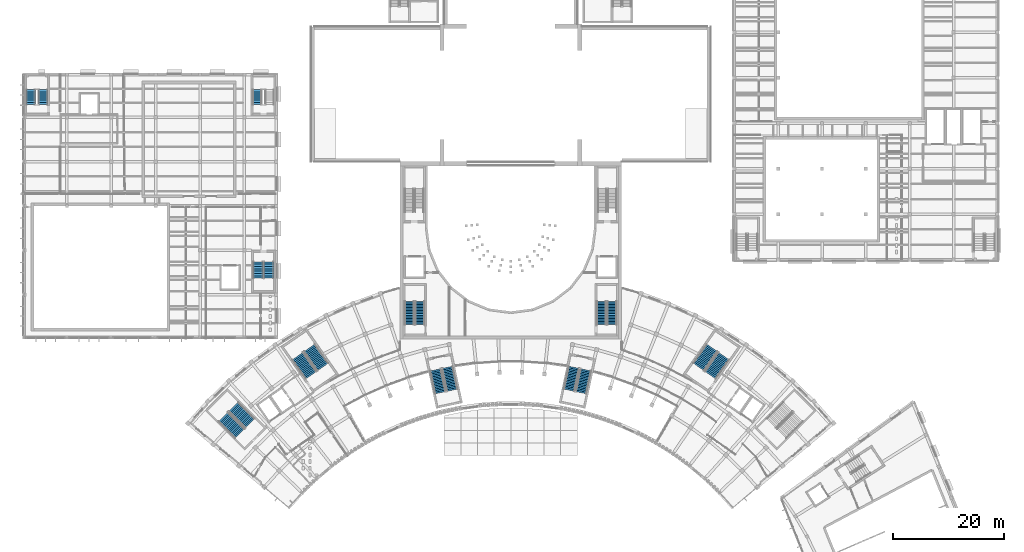
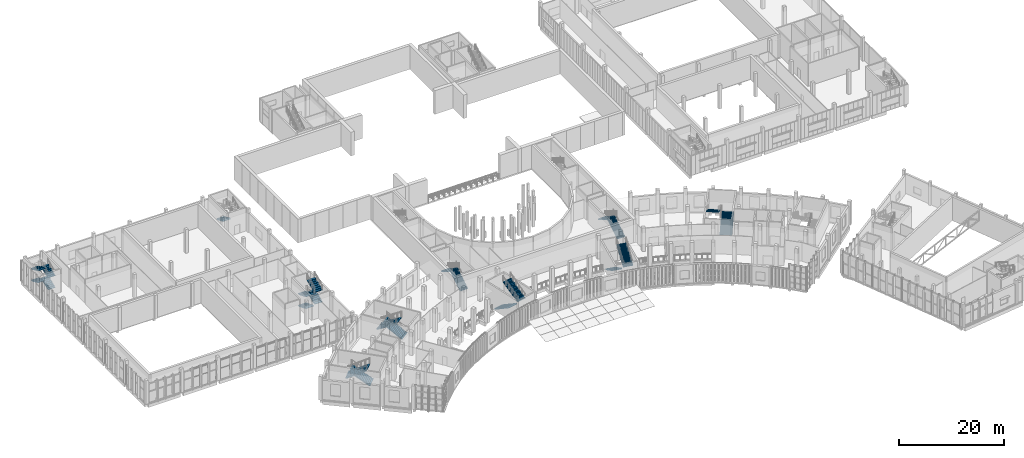
# One storey, part 66 of 112: 23 stair flights, 10 elements without a shape of their own.
"""IFC4 building model written with IfcOpenShell, lengths in metres."""

from ifc_helpers import new_model, si_unit, direction, frame, origin, place, context, subcontext, project, spatial, polyline, outline, extrude, material, type_object, element, aggregate, save


model = new_model("IFC4")

# Units and contexts
model_context = context("Model", 3, precision=1e-05, world=origin(), true_north=direction((0.0, 1.0)))
body_context = subcontext(model_context, "Body", "Model", "MODEL_VIEW")
ifc_project = project(units=[si_unit("LENGTHUNIT", "METRE"), si_unit("AREAUNIT", "SQUARE_METRE"), si_unit("VOLUMEUNIT", "CUBIC_METRE"), si_unit("PLANEANGLEUNIT", "RADIAN"), si_unit("MASSUNIT", "GRAM", prefix="KILO")], contexts=[model_context])

# Site, building, storey
site_placement = place(None, origin())
site = spatial("IfcSite", under=ifc_project, at=site_placement, CompositionType="ELEMENT")
building_placement = place(site_placement, origin())
building = spatial("IfcBuilding", under=site, at=building_placement, Name="Lunette Opera House", CompositionType="ELEMENT")
storey_placement = place(building_placement, frame((0.0, 0.0, 6.0)))
storey = spatial("IfcBuildingStorey", under=building, at=storey_placement, Name="L01", CompositionType="ELEMENT", Elevation=6.0)

# Stair, stair flights
ifc_material_1 = material(Name="Concrete C35/45", Category="concrete")
stair_type_1 = type_object("IfcStairType", Name="DOGLEG STAIR 1600", PredefinedType="HALF_TURN_STAIR", material=ifc_material_1)
stair_1_placement = place(storey_placement, origin())
stair_1 = element("IfcStair", 1, at=stair_1_placement, inside=storey, type_object=stair_type_1, Name="L01 stair ST15", PredefinedType="HALF_TURN_STAIR")
ifc_material_2 = material(Name="Concrete C35/45", Category="concrete")
stair_flight_type_1 = type_object("IfcStairFlightType", Name="STRAIGHT STAIR FLIGHT 1600", PredefinedType="STRAIGHT", material=ifc_material_2)
stair_flight_1_placement = place(storey_placement, frame((11.699951171875, 106.300048828125, 0.0), z_axis=(0.0, 0.0, 1.0), x_axis=(0.0, 1.0, 0.0)))
stair_flight_1 = element("IfcStairFlight", 2, at=stair_flight_1_placement, type_object=stair_flight_type_1, Name="ST15 flight 1", NumberOfRisers=8, NumberOfTreads=7, PredefinedType="STRAIGHT", RiserHeight=0.171875, TreadLength=0.38, context=body_context, shape_type="SweptSolid", body=[
    extrude(outline(polyline([(0.0, 0.0), (0.0, 0.171875), (0.3798828125, 0.171875), (0.3798828125, 0.34375), (0.760009765625, 0.34375), (0.760009765625, 0.515625), (1.139892578125, 0.515625), (1.139892578125, 0.6875), (1.52001953125, 0.6875), (1.52001953125, 0.859375), (1.89990234375, 0.859375), (1.89990234375, 1.03125), (2.280029296875, 1.03125), (2.280029296875, 1.203125), (2.659912109375, 1.203125), (2.659912109375, 1.375), (2.659912109375, 1.03857421875), (0.36376953125, 0.0), (0.0, 0.0)])), frame((0.0, 0.800048828125, 0.0), z_axis=(0.0, -1.0, 0.0), x_axis=(1.0, 0.0, 0.0)), (0.0, 0.0, 1.0), 1.60009765625),
])
stair_flight_2_placement = place(storey_placement, frame((9.5, 108.9599609375, 1.375), z_axis=(0.0, 0.0, 1.0), x_axis=(0.0, -1.0, 0.0)))
stair_flight_2 = element("IfcStairFlight", 3, at=stair_flight_2_placement, type_object=stair_flight_type_1, Name="ST15 flight 2", NumberOfRisers=8, NumberOfTreads=7, PredefinedType="STRAIGHT", RiserHeight=0.171875, TreadLength=0.38, context=body_context, shape_type="SweptSolid", body=[
    extrude(outline(polyline([(0.0, 0.0), (0.0, 0.171875), (0.3798828125, 0.171875), (0.3798828125, 0.34375), (0.760009765625, 0.34375), (0.760009765625, 0.515625), (1.139892578125, 0.515625), (1.139892578125, 0.6875), (1.52001953125, 0.6875), (1.52001953125, 0.859375), (1.89990234375, 0.859375), (1.89990234375, 1.03125), (2.280029296875, 1.03125), (2.280029296875, 1.203125), (2.659912109375, 1.203125), (2.659912109375, 1.375), (2.659912109375, 1.03857421875), (0.36376953125, 0.0), (0.0, 0.0)])), frame((0.0, 0.800048828125, 0.0), z_axis=(0.0, -1.0, 0.0), x_axis=(1.0, 0.0, 0.0)), (0.0, 0.0, 1.0), 1.60009765625),
])
stair_flight_3_placement = place(storey_placement, frame((11.699951171875, 106.300048828125, 2.75), z_axis=(0.0, 0.0, 1.0), x_axis=(0.0, 1.0, 0.0)))
stair_flight_3 = element("IfcStairFlight", 4, at=stair_flight_3_placement, type_object=stair_flight_type_1, Name="ST15 flight 3", NumberOfRisers=8, NumberOfTreads=7, PredefinedType="STRAIGHT", RiserHeight=0.171875, TreadLength=0.38, context=body_context, shape_type="SweptSolid", body=[
    extrude(outline(polyline([(0.0, 0.0), (0.0, 0.171875), (0.3798828125, 0.171875), (0.3798828125, 0.34375), (0.760009765625, 0.34375), (0.760009765625, 0.515625), (1.139892578125, 0.515625), (1.139892578125, 0.6875), (1.52001953125, 0.6875), (1.52001953125, 0.859375), (1.89990234375, 0.859375), (1.89990234375, 1.03125), (2.280029296875, 1.03125), (2.280029296875, 1.203125), (2.659912109375, 1.203125), (2.659912109375, 1.375), (2.659912109375, 1.03857421875), (0.36376953125, 0.0), (0.0, 0.0)])), frame((0.0, 0.800048828125, 0.0), z_axis=(0.0, -1.0, 0.0), x_axis=(1.0, 0.0, 0.0)), (0.0, 0.0, 1.0), 1.60009765625),
])
stair_flight_4_placement = place(storey_placement, frame((9.5, 108.9599609375, 4.125), z_axis=(0.0, 0.0, 1.0), x_axis=(0.0, -1.0, 0.0)))
stair_flight_4 = element("IfcStairFlight", 5, at=stair_flight_4_placement, type_object=stair_flight_type_1, Name="ST15 flight 4", NumberOfRisers=8, NumberOfTreads=7, PredefinedType="STRAIGHT", RiserHeight=0.171875, TreadLength=0.38, context=body_context, shape_type="SweptSolid", body=[
    extrude(outline(polyline([(0.0, 0.0), (0.0, 0.171875), (0.3798828125, 0.171875), (0.3798828125, 0.34375), (0.760009765625, 0.34375), (0.760009765625, 0.515625), (1.139892578125, 0.515625), (1.139892578125, 0.6875), (1.52001953125, 0.6875), (1.52001953125, 0.859375), (1.89990234375, 0.859375), (1.89990234375, 1.03125), (2.280029296875, 1.03125), (2.280029296875, 1.203125), (2.659912109375, 1.203125), (2.659912109375, 1.375), (2.659912109375, 1.03857421875), (0.36376953125, 0.0), (0.0, 0.0)])), frame((0.0, 0.800048828125, 0.0), z_axis=(0.0, -1.0, 0.0), x_axis=(1.0, 0.0, 0.0)), (0.0, 0.0, 1.0), 1.60009765625),
])
aggregate(stair_1, [stair_flight_1, stair_flight_2, stair_flight_3, stair_flight_4])

# Stair, stair flight
stair_2_placement = place(storey_placement, origin())
stair_2 = element("IfcStair", 6, at=stair_2_placement, inside=storey, type_object=stair_type_1, Name="L01 stair ST17", PredefinedType="HALF_TURN_STAIR")
stair_flight_5_placement = place(storey_placement, frame((50.300048828125, 108.9599609375, 1.375), z_axis=(0.0, 0.0, 1.0), x_axis=(0.0, -1.0, 0.0)))
stair_flight_5 = element("IfcStairFlight", 7, at=stair_flight_5_placement, type_object=stair_flight_type_1, Name="ST17 flight 2", NumberOfRisers=8, NumberOfTreads=7, PredefinedType="STRAIGHT", RiserHeight=0.171875, TreadLength=0.38, context=body_context, shape_type="SweptSolid", body=[
    extrude(outline(polyline([(0.0, 0.0), (0.0, 0.171875), (0.3798828125, 0.171875), (0.3798828125, 0.34375), (0.760009765625, 0.34375), (0.760009765625, 0.515625), (1.139892578125, 0.515625), (1.139892578125, 0.6875), (1.52001953125, 0.6875), (1.52001953125, 0.859375), (1.89990234375, 0.859375), (1.89990234375, 1.03125), (2.280029296875, 1.03125), (2.280029296875, 1.203125), (2.659912109375, 1.203125), (2.659912109375, 1.375), (2.659912109375, 1.03857421875), (0.36376953125, 0.0), (0.0, 0.0)])), frame((0.0, 0.800048828125, 0.0), z_axis=(0.0, -1.0, 0.0), x_axis=(1.0, 0.0, 0.0)), (0.0, 0.0, 1.0), 1.60009765625),
])
aggregate(stair_2, [stair_flight_5])

# Stair, stair flights
ifc_material_3 = material(Name="Concrete C35/45", Category="concrete")
stair_type_2 = type_object("IfcStairType", Name="DOGLEG STAIR 1720", PredefinedType="HALF_TURN_STAIR", material=ifc_material_3)
stair_3_placement = place(storey_placement, origin())
stair_3 = element("IfcStair", 8, at=stair_3_placement, inside=storey, type_object=stair_type_2, Name="L01 stair ST7", PredefinedType="HALF_TURN_STAIR")
ifc_material_4 = material(Name="Concrete C35/45", Category="concrete")
stair_flight_type_2 = type_object("IfcStairFlightType", Name="STRAIGHT STAIR FLIGHT 1720", PredefinedType="STRAIGHT", material=ifc_material_4)
stair_flight_6_placement = place(storey_placement, frame((79.639892578125, 66.6201171875, 0.0), z_axis=(0.0, 0.0, 1.0), x_axis=(0.0, 1.0, 0.0)))
stair_flight_6 = element("IfcStairFlight", 9, at=stair_flight_6_placement, type_object=stair_flight_type_2, Name="ST7 flight 1", NumberOfRisers=16, NumberOfTreads=15, PredefinedType="STRAIGHT", RiserHeight=0.171875, TreadLength=0.28, context=body_context, shape_type="SweptSolid", body=[
    extrude(outline(polyline([(0.0, 0.0), (0.0, 0.171875), (0.280029296875, 0.171875), (0.280029296875, 0.34375), (0.56005859375, 0.34375), (0.56005859375, 0.515625), (0.840087890625, 0.515625), (0.840087890625, 0.6875), (1.1201171875, 0.6875), (1.1201171875, 0.859375), (1.39990234375, 0.859375), (1.39990234375, 1.03125), (1.679931640625, 1.03125), (1.679931640625, 1.203125), (1.9599609375, 1.203125), (1.9599609375, 1.375), (2.239990234375, 1.375), (2.239990234375, 1.546875), (2.52001953125, 1.546875), (2.52001953125, 1.71875), (2.800048828125, 1.71875), (2.800048828125, 1.890625), (3.080078125, 1.890625), (3.080078125, 2.0625), (3.360107421875, 2.0625), (3.360107421875, 2.234375), (3.639892578125, 2.234375), (3.639892578125, 2.40625), (3.919921875, 2.40625), (3.919921875, 2.578125), (4.199951171875, 2.578125), (4.199951171875, 2.75), (4.199951171875, 2.40234375), (0.28662109375, 0.0), (0.0, 0.0)])), frame((0.0, 0.85986328125, 0.0), z_axis=(0.0, -1.0, 0.0), x_axis=(1.0, 0.0, 0.0)), (0.0, 0.0, 1.0), 1.719970703125),
])
stair_flight_7_placement = place(storey_placement, frame((77.760009765625, 70.820068359375, 2.75), z_axis=(0.0, 0.0, 1.0), x_axis=(0.0, -1.0, 0.0)))
stair_flight_7 = element("IfcStairFlight", 10, at=stair_flight_7_placement, type_object=stair_flight_type_2, Name="ST7 flight 2", NumberOfRisers=16, NumberOfTreads=15, PredefinedType="STRAIGHT", RiserHeight=0.171875, TreadLength=0.28, context=body_context, shape_type="SweptSolid", body=[
    extrude(outline(polyline([(0.0, 0.0), (0.0, 0.171875), (0.280029296875, 0.171875), (0.280029296875, 0.34375), (0.56005859375, 0.34375), (0.56005859375, 0.515625), (0.840087890625, 0.515625), (0.840087890625, 0.6875), (1.1201171875, 0.6875), (1.1201171875, 0.859375), (1.39990234375, 0.859375), (1.39990234375, 1.03125), (1.679931640625, 1.03125), (1.679931640625, 1.203125), (1.9599609375, 1.203125), (1.9599609375, 1.375), (2.239990234375, 1.375), (2.239990234375, 1.546875), (2.52001953125, 1.546875), (2.52001953125, 1.71875), (2.800048828125, 1.71875), (2.800048828125, 1.890625), (3.080078125, 1.890625), (3.080078125, 2.0625), (3.360107421875, 2.0625), (3.360107421875, 2.234375), (3.639892578125, 2.234375), (3.639892578125, 2.40625), (3.919921875, 2.40625), (3.919921875, 2.578125), (4.199951171875, 2.578125), (4.199951171875, 2.75), (4.199951171875, 2.40234375), (0.28662109375, 0.0), (0.0, 0.0)])), frame((0.0, 0.85986328125, 0.0), z_axis=(0.0, -1.0, 0.0), x_axis=(1.0, 0.0, 0.0)), (0.0, 0.0, 1.0), 1.719970703125),
])
aggregate(stair_3, [stair_flight_6, stair_flight_7])

stair_4_placement = place(storey_placement, origin())
stair_4 = element("IfcStair", 11, at=stair_4_placement, inside=storey, type_object=stair_type_2, Name="L01 stair ST8", PredefinedType="HALF_TURN_STAIR")
stair_flight_8_placement = place(storey_placement, frame((114.239990234375, 66.6201171875, 0.0), z_axis=(0.0, 0.0, 1.0), x_axis=(0.0, 1.0, 0.0)))
stair_flight_8 = element("IfcStairFlight", 12, at=stair_flight_8_placement, type_object=stair_flight_type_2, Name="ST8 flight 1", NumberOfRisers=16, NumberOfTreads=15, PredefinedType="STRAIGHT", RiserHeight=0.171875, TreadLength=0.28, context=body_context, shape_type="SweptSolid", body=[
    extrude(outline(polyline([(0.0, 0.0), (0.0, 0.171875), (0.280029296875, 0.171875), (0.280029296875, 0.34375), (0.56005859375, 0.34375), (0.56005859375, 0.515625), (0.840087890625, 0.515625), (0.840087890625, 0.6875), (1.1201171875, 0.6875), (1.1201171875, 0.859375), (1.39990234375, 0.859375), (1.39990234375, 1.03125), (1.679931640625, 1.03125), (1.679931640625, 1.203125), (1.9599609375, 1.203125), (1.9599609375, 1.375), (2.239990234375, 1.375), (2.239990234375, 1.546875), (2.52001953125, 1.546875), (2.52001953125, 1.71875), (2.800048828125, 1.71875), (2.800048828125, 1.890625), (3.080078125, 1.890625), (3.080078125, 2.0625), (3.360107421875, 2.0625), (3.360107421875, 2.234375), (3.639892578125, 2.234375), (3.639892578125, 2.40625), (3.919921875, 2.40625), (3.919921875, 2.578125), (4.199951171875, 2.578125), (4.199951171875, 2.75), (4.199951171875, 2.40234375), (0.28662109375, 0.0), (0.0, 0.0)])), frame((0.0, 0.85986328125, 0.0), z_axis=(0.0, -1.0, 0.0), x_axis=(1.0, 0.0, 0.0)), (0.0, 0.0, 1.0), 1.719970703125),
])
stair_flight_9_placement = place(storey_placement, frame((112.360107421875, 70.820068359375, 2.75), z_axis=(0.0, 0.0, 1.0), x_axis=(0.0, -1.0, 0.0)))
stair_flight_9 = element("IfcStairFlight", 13, at=stair_flight_9_placement, type_object=stair_flight_type_2, Name="ST8 flight 2", NumberOfRisers=16, NumberOfTreads=15, PredefinedType="STRAIGHT", RiserHeight=0.171875, TreadLength=0.28, context=body_context, shape_type="SweptSolid", body=[
    extrude(outline(polyline([(0.0, 0.0), (0.0, 0.171875), (0.280029296875, 0.171875), (0.280029296875, 0.34375), (0.56005859375, 0.34375), (0.56005859375, 0.515625), (0.840087890625, 0.515625), (0.840087890625, 0.6875), (1.1201171875, 0.6875), (1.1201171875, 0.859375), (1.39990234375, 0.859375), (1.39990234375, 1.03125), (1.679931640625, 1.03125), (1.679931640625, 1.203125), (1.9599609375, 1.203125), (1.9599609375, 1.375), (2.239990234375, 1.375), (2.239990234375, 1.546875), (2.52001953125, 1.546875), (2.52001953125, 1.71875), (2.800048828125, 1.71875), (2.800048828125, 1.890625), (3.080078125, 1.890625), (3.080078125, 2.0625), (3.360107421875, 2.0625), (3.360107421875, 2.234375), (3.639892578125, 2.234375), (3.639892578125, 2.40625), (3.919921875, 2.40625), (3.919921875, 2.578125), (4.199951171875, 2.578125), (4.199951171875, 2.75), (4.199951171875, 2.40234375), (0.28662109375, 0.0), (0.0, 0.0)])), frame((0.0, 0.85986328125, 0.0), z_axis=(0.0, -1.0, 0.0), x_axis=(1.0, 0.0, 0.0)), (0.0, 0.0, 1.0), 1.719970703125),
])
aggregate(stair_4, [stair_flight_8, stair_flight_9])

ifc_material_5 = material(Name="Concrete C35/45", Category="concrete")
stair_type_3 = type_object("IfcStairType", Name="DOGLEG STAIR 1770", PredefinedType="HALF_TURN_STAIR", material=ifc_material_5)
stair_5_placement = place(storey_placement, origin())
stair_5 = element("IfcStair", 14, at=stair_5_placement, inside=storey, type_object=stair_type_3, Name="L01 stair ST16", PredefinedType="HALF_TURN_STAIR")
ifc_material_6 = material(Name="Concrete C35/45", Category="concrete")
stair_flight_type_3 = type_object("IfcStairFlightType", Name="STRAIGHT STAIR FLIGHT 1770", PredefinedType="STRAIGHT", material=ifc_material_6)
stair_flight_10_placement = place(storey_placement, frame((50.485107421875, 77.929931640625, 0.0), z_axis=(0.0, 0.0, 1.0), x_axis=(0.0, -1.0, 0.0)))
stair_flight_10 = element("IfcStairFlight", 15, at=stair_flight_10_placement, type_object=stair_flight_type_3, Name="ST16 flight 1", NumberOfRisers=8, NumberOfTreads=7, PredefinedType="STRAIGHT", RiserHeight=0.171875, TreadLength=0.42, context=body_context, shape_type="SweptSolid", body=[
    extrude(outline(polyline([(0.0, 0.0), (0.0, 0.171875), (0.419921875, 0.171875), (0.419921875, 0.34375), (0.840087890625, 0.34375), (0.840087890625, 0.515625), (1.260009765625, 0.515625), (1.260009765625, 0.6875), (1.679931640625, 0.6875), (1.679931640625, 0.859375), (2.10009765625, 0.859375), (2.10009765625, 1.03125), (2.52001953125, 1.03125), (2.52001953125, 1.203125), (2.93994140625, 1.203125), (2.93994140625, 1.375), (2.93994140625, 1.041259765625), (0.395751953125, 0.0), (0.0, 0.0)])), frame((0.0, 0.885009765625, 0.0), z_axis=(0.0, -1.0, 0.0), x_axis=(1.0, 0.0, 0.0)), (0.0, 0.0, 1.0), 1.77001953125),
])
stair_flight_11_placement = place(storey_placement, frame((52.4150390625, 74.989990234375, 1.375), z_axis=(0.0, 0.0, 1.0), x_axis=(0.0, 1.0, 0.0)))
stair_flight_11 = element("IfcStairFlight", 16, at=stair_flight_11_placement, type_object=stair_flight_type_3, Name="ST16 flight 2", NumberOfRisers=8, NumberOfTreads=7, PredefinedType="STRAIGHT", RiserHeight=0.171875, TreadLength=0.42, context=body_context, shape_type="SweptSolid", body=[
    extrude(outline(polyline([(0.0, 0.0), (0.0, 0.171875), (0.419921875, 0.171875), (0.419921875, 0.34375), (0.840087890625, 0.34375), (0.840087890625, 0.515625), (1.260009765625, 0.515625), (1.260009765625, 0.6875), (1.679931640625, 0.6875), (1.679931640625, 0.859375), (2.10009765625, 0.859375), (2.10009765625, 1.03125), (2.52001953125, 1.03125), (2.52001953125, 1.203125), (2.93994140625, 1.203125), (2.93994140625, 1.375), (2.93994140625, 1.041259765625), (0.395751953125, 0.0), (0.0, 0.0)])), frame((0.0, 0.885009765625, 0.0), z_axis=(0.0, -1.0, 0.0), x_axis=(1.0, 0.0, 0.0)), (0.0, 0.0, 1.0), 1.77001953125),
])
stair_flight_12_placement = place(storey_placement, frame((50.485107421875, 77.929931640625, 2.75), z_axis=(0.0, 0.0, 1.0), x_axis=(0.0, -1.0, 0.0)))
stair_flight_12 = element("IfcStairFlight", 17, at=stair_flight_12_placement, type_object=stair_flight_type_3, Name="ST16 flight 3", NumberOfRisers=8, NumberOfTreads=7, PredefinedType="STRAIGHT", RiserHeight=0.171875, TreadLength=0.42, context=body_context, shape_type="SweptSolid", body=[
    extrude(outline(polyline([(0.0, 0.0), (0.0, 0.171875), (0.419921875, 0.171875), (0.419921875, 0.34375), (0.840087890625, 0.34375), (0.840087890625, 0.515625), (1.260009765625, 0.515625), (1.260009765625, 0.6875), (1.679931640625, 0.6875), (1.679931640625, 0.859375), (2.10009765625, 0.859375), (2.10009765625, 1.03125), (2.52001953125, 1.03125), (2.52001953125, 1.203125), (2.93994140625, 1.203125), (2.93994140625, 1.375), (2.93994140625, 1.041259765625), (0.395751953125, 0.0), (0.0, 0.0)])), frame((0.0, 0.885009765625, 0.0), z_axis=(0.0, -1.0, 0.0), x_axis=(1.0, 0.0, 0.0)), (0.0, 0.0, 1.0), 1.77001953125),
])
stair_flight_13_placement = place(storey_placement, frame((52.4150390625, 74.989990234375, 4.125), z_axis=(0.0, 0.0, 1.0), x_axis=(0.0, 1.0, 0.0)))
stair_flight_13 = element("IfcStairFlight", 18, at=stair_flight_13_placement, type_object=stair_flight_type_3, Name="ST16 flight 4", NumberOfRisers=8, NumberOfTreads=7, PredefinedType="STRAIGHT", RiserHeight=0.171875, TreadLength=0.42, context=body_context, shape_type="SweptSolid", body=[
    extrude(outline(polyline([(0.0, 0.0), (0.0, 0.171875), (0.419921875, 0.171875), (0.419921875, 0.34375), (0.840087890625, 0.34375), (0.840087890625, 0.515625), (1.260009765625, 0.515625), (1.260009765625, 0.6875), (1.679931640625, 0.6875), (1.679931640625, 0.859375), (2.10009765625, 0.859375), (2.10009765625, 1.03125), (2.52001953125, 1.03125), (2.52001953125, 1.203125), (2.93994140625, 1.203125), (2.93994140625, 1.375), (2.93994140625, 1.041259765625), (0.395751953125, 0.0), (0.0, 0.0)])), frame((0.0, 0.885009765625, 0.0), z_axis=(0.0, -1.0, 0.0), x_axis=(1.0, 0.0, 0.0)), (0.0, 0.0, 1.0), 1.77001953125),
])
aggregate(stair_5, [stair_flight_10, stair_flight_11, stair_flight_12, stair_flight_13])

ifc_material_7 = material(Name="Concrete C35/45", Category="concrete")
stair_type_4 = type_object("IfcStairType", Name="DOGLEG STAIR 2000", PredefinedType="HALF_TURN_STAIR", material=ifc_material_7)
stair_6_placement = place(storey_placement, origin())
stair_6 = element("IfcStair", 19, at=stair_6_placement, inside=storey, type_object=stair_type_4, Name="L01 stair GS1", PredefinedType="HALF_TURN_STAIR")
ifc_material_8 = material(Name="Concrete C35/45", Category="concrete")
stair_flight_type_4 = type_object("IfcStairFlightType", Name="STRAIGHT STAIR FLIGHT 2000", PredefinedType="STRAIGHT", material=ifc_material_8)
stair_flight_14_placement = place(storey_placement, frame((82.44970703125, 58.460693359375, 0.0), z_axis=(0.0, 0.0, 1.0), x_axis=(0.207892928766, -0.978151588543, 0.0)))
stair_flight_14 = element("IfcStairFlight", 20, at=stair_flight_14_placement, type_object=stair_flight_type_4, Name="GS1 flight 1", NumberOfRisers=16, NumberOfTreads=15, PredefinedType="STRAIGHT", RiserHeight=0.171875, TreadLength=0.28, context=body_context, shape_type="SweptSolid", body=[
    extrude(outline(polyline([(0.0, 0.0), (0.0, 0.171875), (0.280029296875, 0.171875), (0.280029296875, 0.34375), (0.56005859375, 0.34375), (0.56005859375, 0.515625), (0.840087890625, 0.515625), (0.840087890625, 0.6875), (1.1201171875, 0.6875), (1.1201171875, 0.859375), (1.39990234375, 0.859375), (1.39990234375, 1.03125), (1.679931640625, 1.03125), (1.679931640625, 1.203125), (1.9599609375, 1.203125), (1.9599609375, 1.375), (2.239990234375, 1.375), (2.239990234375, 1.546875), (2.52001953125, 1.546875), (2.52001953125, 1.71875), (2.800048828125, 1.71875), (2.800048828125, 1.890625), (3.080078125, 1.890625), (3.080078125, 2.0625), (3.360107421875, 2.0625), (3.360107421875, 2.234375), (3.639892578125, 2.234375), (3.639892578125, 2.40625), (3.919921875, 2.40625), (3.919921875, 2.578125), (4.199951171875, 2.578125), (4.199951171875, 2.75), (4.199951171875, 2.40234375), (0.28662109375, 0.0), (0.0, 0.0)])), frame((0.0, 1.0, 0.0), z_axis=(0.0, -1.0, 0.0), x_axis=(1.0, 0.0, 0.0)), (0.0, 0.0, 1.0), 2.0),
])
stair_flight_15_placement = place(storey_placement, frame((85.474609375, 54.809814453125, 2.75), z_axis=(0.0, 0.0, 1.0), x_axis=(-0.207892928766, 0.978151588543, 0.0)))
stair_flight_15 = element("IfcStairFlight", 21, at=stair_flight_15_placement, type_object=stair_flight_type_4, Name="GS1 flight 2", NumberOfRisers=16, NumberOfTreads=15, PredefinedType="STRAIGHT", RiserHeight=0.171875, TreadLength=0.28, context=body_context, shape_type="SweptSolid", body=[
    extrude(outline(polyline([(0.0, 0.0), (0.0, 0.171875), (0.280029296875, 0.171875), (0.280029296875, 0.34375), (0.56005859375, 0.34375), (0.56005859375, 0.515625), (0.840087890625, 0.515625), (0.840087890625, 0.6875), (1.1201171875, 0.6875), (1.1201171875, 0.859375), (1.39990234375, 0.859375), (1.39990234375, 1.03125), (1.679931640625, 1.03125), (1.679931640625, 1.203125), (1.9599609375, 1.203125), (1.9599609375, 1.375), (2.239990234375, 1.375), (2.239990234375, 1.546875), (2.52001953125, 1.546875), (2.52001953125, 1.71875), (2.800048828125, 1.71875), (2.800048828125, 1.890625), (3.080078125, 1.890625), (3.080078125, 2.0625), (3.360107421875, 2.0625), (3.360107421875, 2.234375), (3.639892578125, 2.234375), (3.639892578125, 2.40625), (3.919921875, 2.40625), (3.919921875, 2.578125), (4.199951171875, 2.578125), (4.199951171875, 2.75), (4.199951171875, 2.40234375), (0.28662109375, 0.0), (0.0, 0.0)])), frame((0.0, 1.0, 0.0), z_axis=(0.0, -1.0, 0.0), x_axis=(1.0, 0.0, 0.0)), (0.0, 0.0, 1.0), 2.0),
])
aggregate(stair_6, [stair_flight_14, stair_flight_15])

stair_7_placement = place(storey_placement, origin())
stair_7 = element("IfcStair", 22, at=stair_7_placement, inside=storey, type_object=stair_type_4, Name="L01 stair GS2", PredefinedType="HALF_TURN_STAIR")
stair_flight_16_placement = place(storey_placement, frame((107.3984375, 58.91796875, 0.0), z_axis=(0.0, 0.0, 1.0), x_axis=(-0.207892928766, -0.978151588543, 0.0)))
stair_flight_16 = element("IfcStairFlight", 23, at=stair_flight_16_placement, type_object=stair_flight_type_4, Name="GS2 flight 1", NumberOfRisers=16, NumberOfTreads=15, PredefinedType="STRAIGHT", RiserHeight=0.171875, TreadLength=0.28, context=body_context, shape_type="SweptSolid", body=[
    extrude(outline(polyline([(0.0, 0.0), (0.0, 0.171875), (0.280029296875, 0.171875), (0.280029296875, 0.34375), (0.56005859375, 0.34375), (0.56005859375, 0.515625), (0.840087890625, 0.515625), (0.840087890625, 0.6875), (1.1201171875, 0.6875), (1.1201171875, 0.859375), (1.39990234375, 0.859375), (1.39990234375, 1.03125), (1.679931640625, 1.03125), (1.679931640625, 1.203125), (1.9599609375, 1.203125), (1.9599609375, 1.375), (2.239990234375, 1.375), (2.239990234375, 1.546875), (2.52001953125, 1.546875), (2.52001953125, 1.71875), (2.800048828125, 1.71875), (2.800048828125, 1.890625), (3.080078125, 1.890625), (3.080078125, 2.0625), (3.360107421875, 2.0625), (3.360107421875, 2.234375), (3.639892578125, 2.234375), (3.639892578125, 2.40625), (3.919921875, 2.40625), (3.919921875, 2.578125), (4.199951171875, 2.578125), (4.199951171875, 2.75), (4.199951171875, 2.40234375), (0.28662109375, 0.0), (0.0, 0.0)])), frame((0.0, 1.0, 0.0), z_axis=(0.0, -1.0, 0.0), x_axis=(1.0, 0.0, 0.0)), (0.0, 0.0, 1.0), 2.0),
])
stair_flight_17_placement = place(storey_placement, frame((108.67724609375, 54.352294921875, 2.75), z_axis=(0.0, 0.0, 1.0), x_axis=(0.207892928766, 0.978151588543, 0.0)))
stair_flight_17 = element("IfcStairFlight", 24, at=stair_flight_17_placement, type_object=stair_flight_type_4, Name="GS2 flight 2", NumberOfRisers=16, NumberOfTreads=15, PredefinedType="STRAIGHT", RiserHeight=0.171875, TreadLength=0.28, context=body_context, shape_type="SweptSolid", body=[
    extrude(outline(polyline([(0.0, 0.0), (0.0, 0.171875), (0.280029296875, 0.171875), (0.280029296875, 0.34375), (0.56005859375, 0.34375), (0.56005859375, 0.515625), (0.840087890625, 0.515625), (0.840087890625, 0.6875), (1.1201171875, 0.6875), (1.1201171875, 0.859375), (1.39990234375, 0.859375), (1.39990234375, 1.03125), (1.679931640625, 1.03125), (1.679931640625, 1.203125), (1.9599609375, 1.203125), (1.9599609375, 1.375), (2.239990234375, 1.375), (2.239990234375, 1.546875), (2.52001953125, 1.546875), (2.52001953125, 1.71875), (2.800048828125, 1.71875), (2.800048828125, 1.890625), (3.080078125, 1.890625), (3.080078125, 2.0625), (3.360107421875, 2.0625), (3.360107421875, 2.234375), (3.639892578125, 2.234375), (3.639892578125, 2.40625), (3.919921875, 2.40625), (3.919921875, 2.578125), (4.199951171875, 2.578125), (4.199951171875, 2.75), (4.199951171875, 2.40234375), (0.28662109375, 0.0), (0.0, 0.0)])), frame((0.0, 1.0, 0.0), z_axis=(0.0, -1.0, 0.0), x_axis=(1.0, 0.0, 0.0)), (0.0, 0.0, 1.0), 2.0),
])
aggregate(stair_7, [stair_flight_16, stair_flight_17])

ifc_material_9 = material(Name="Concrete C35/45", Category="concrete")
stair_type_5 = type_object("IfcStairType", Name="DOGLEG STAIR 2400", PredefinedType="HALF_TURN_STAIR", material=ifc_material_9)
stair_8_placement = place(storey_placement, origin())
stair_8 = element("IfcStair", 25, at=stair_8_placement, inside=storey, type_object=stair_type_5, Name="L01 stair ST1", PredefinedType="HALF_TURN_STAIR")
ifc_material_10 = material(Name="Concrete C35/45", Category="concrete")
stair_flight_type_5 = type_object("IfcStairFlightType", Name="STRAIGHT STAIR FLIGHT 2400", PredefinedType="STRAIGHT", material=ifc_material_10)
stair_flight_18_placement = place(storey_placement, frame((49.01318359375, 48.825439453125, 0.0), z_axis=(0.0, 0.0, 1.0), x_axis=(-0.707106781187, 0.707106781187, 0.0)))
stair_flight_18 = element("IfcStairFlight", 26, at=stair_flight_18_placement, type_object=stair_flight_type_5, Name="ST1 flight 1", NumberOfRisers=16, NumberOfTreads=15, PredefinedType="STRAIGHT", RiserHeight=0.171875, TreadLength=0.28, context=body_context, shape_type="SweptSolid", body=[
    extrude(outline(polyline([(0.0, 0.0), (0.0, 0.171875), (0.280029296875, 0.171875), (0.280029296875, 0.34375), (0.56005859375, 0.34375), (0.56005859375, 0.515625), (0.840087890625, 0.515625), (0.840087890625, 0.6875), (1.1201171875, 0.6875), (1.1201171875, 0.859375), (1.39990234375, 0.859375), (1.39990234375, 1.03125), (1.679931640625, 1.03125), (1.679931640625, 1.203125), (1.9599609375, 1.203125), (1.9599609375, 1.375), (2.239990234375, 1.375), (2.239990234375, 1.546875), (2.52001953125, 1.546875), (2.52001953125, 1.71875), (2.800048828125, 1.71875), (2.800048828125, 1.890625), (3.080078125, 1.890625), (3.080078125, 2.0625), (3.360107421875, 2.0625), (3.360107421875, 2.234375), (3.639892578125, 2.234375), (3.639892578125, 2.40625), (3.919921875, 2.40625), (3.919921875, 2.578125), (4.199951171875, 2.578125), (4.199951171875, 2.75), (4.199951171875, 2.40234375), (0.28662109375, 0.0), (0.0, 0.0)])), frame((0.0, 1.199951171875, 0.0), z_axis=(0.0, -1.0, 0.0), x_axis=(1.0, 0.0, 0.0)), (0.0, 0.0, 1.0), 2.39990234375),
])
stair_flight_19_placement = place(storey_placement, frame((44.20458984375, 49.956787109375, 2.75), z_axis=(0.0, 0.0, 1.0), x_axis=(0.707106781187, -0.707106781187, 0.0)))
stair_flight_19 = element("IfcStairFlight", 27, at=stair_flight_19_placement, type_object=stair_flight_type_5, Name="ST1 flight 2", NumberOfRisers=16, NumberOfTreads=15, PredefinedType="STRAIGHT", RiserHeight=0.171875, TreadLength=0.28, context=body_context, shape_type="SweptSolid", body=[
    extrude(outline(polyline([(0.0, 0.0), (0.0, 0.171875), (0.280029296875, 0.171875), (0.280029296875, 0.34375), (0.56005859375, 0.34375), (0.56005859375, 0.515625), (0.840087890625, 0.515625), (0.840087890625, 0.6875), (1.1201171875, 0.6875), (1.1201171875, 0.859375), (1.39990234375, 0.859375), (1.39990234375, 1.03125), (1.679931640625, 1.03125), (1.679931640625, 1.203125), (1.9599609375, 1.203125), (1.9599609375, 1.375), (2.239990234375, 1.375), (2.239990234375, 1.546875), (2.52001953125, 1.546875), (2.52001953125, 1.71875), (2.800048828125, 1.71875), (2.800048828125, 1.890625), (3.080078125, 1.890625), (3.080078125, 2.0625), (3.360107421875, 2.0625), (3.360107421875, 2.234375), (3.639892578125, 2.234375), (3.639892578125, 2.40625), (3.919921875, 2.40625), (3.919921875, 2.578125), (4.199951171875, 2.578125), (4.199951171875, 2.75), (4.199951171875, 2.40234375), (0.28662109375, 0.0), (0.0, 0.0)])), frame((0.0, 1.199951171875, 0.0), z_axis=(0.0, -1.0, 0.0), x_axis=(1.0, 0.0, 0.0)), (0.0, 0.0, 1.0), 2.39990234375),
])
aggregate(stair_8, [stair_flight_18, stair_flight_19])

stair_9_placement = place(storey_placement, origin())
stair_9 = element("IfcStair", 28, at=stair_9_placement, inside=storey, type_object=stair_type_5, Name="L01 stair ST2", PredefinedType="HALF_TURN_STAIR")
stair_flight_20_placement = place(storey_placement, frame((62.13720703125, 58.996337890625, 0.0), z_axis=(0.0, 0.0, 1.0), x_axis=(-0.573510282723, 0.819198361577, 0.0)))
stair_flight_20 = element("IfcStairFlight", 29, at=stair_flight_20_placement, type_object=stair_flight_type_5, Name="ST2 flight 1", NumberOfRisers=16, NumberOfTreads=15, PredefinedType="STRAIGHT", RiserHeight=0.171875, TreadLength=0.28, context=body_context, shape_type="SweptSolid", body=[
    extrude(outline(polyline([(0.0, 0.0), (0.0, 0.171875), (0.280029296875, 0.171875), (0.280029296875, 0.34375), (0.56005859375, 0.34375), (0.56005859375, 0.515625), (0.840087890625, 0.515625), (0.840087890625, 0.6875), (1.1201171875, 0.6875), (1.1201171875, 0.859375), (1.39990234375, 0.859375), (1.39990234375, 1.03125), (1.679931640625, 1.03125), (1.679931640625, 1.203125), (1.9599609375, 1.203125), (1.9599609375, 1.375), (2.239990234375, 1.375), (2.239990234375, 1.546875), (2.52001953125, 1.546875), (2.52001953125, 1.71875), (2.800048828125, 1.71875), (2.800048828125, 1.890625), (3.080078125, 1.890625), (3.080078125, 2.0625), (3.360107421875, 2.0625), (3.360107421875, 2.234375), (3.639892578125, 2.234375), (3.639892578125, 2.40625), (3.919921875, 2.40625), (3.919921875, 2.578125), (4.199951171875, 2.578125), (4.199951171875, 2.75), (4.199951171875, 2.40234375), (0.28662109375, 0.0), (0.0, 0.0)])), frame((0.0, 1.199951171875, 0.0), z_axis=(0.0, -1.0, 0.0), x_axis=(1.0, 0.0, 0.0)), (0.0, 0.0, 1.0), 2.39990234375),
])
stair_flight_21_placement = place(storey_placement, frame((57.597900390625, 60.945556640625, 2.75), z_axis=(0.0, 0.0, 1.0), x_axis=(0.573510282723, -0.819198361577, 0.0)))
stair_flight_21 = element("IfcStairFlight", 30, at=stair_flight_21_placement, type_object=stair_flight_type_5, Name="ST2 flight 2", NumberOfRisers=16, NumberOfTreads=15, PredefinedType="STRAIGHT", RiserHeight=0.171875, TreadLength=0.28, context=body_context, shape_type="SweptSolid", body=[
    extrude(outline(polyline([(0.0, 0.0), (0.0, 0.171875), (0.280029296875, 0.171875), (0.280029296875, 0.34375), (0.56005859375, 0.34375), (0.56005859375, 0.515625), (0.840087890625, 0.515625), (0.840087890625, 0.6875), (1.1201171875, 0.6875), (1.1201171875, 0.859375), (1.39990234375, 0.859375), (1.39990234375, 1.03125), (1.679931640625, 1.03125), (1.679931640625, 1.203125), (1.9599609375, 1.203125), (1.9599609375, 1.375), (2.239990234375, 1.375), (2.239990234375, 1.546875), (2.52001953125, 1.546875), (2.52001953125, 1.71875), (2.800048828125, 1.71875), (2.800048828125, 1.890625), (3.080078125, 1.890625), (3.080078125, 2.0625), (3.360107421875, 2.0625), (3.360107421875, 2.234375), (3.639892578125, 2.234375), (3.639892578125, 2.40625), (3.919921875, 2.40625), (3.919921875, 2.578125), (4.199951171875, 2.578125), (4.199951171875, 2.75), (4.199951171875, 2.40234375), (0.28662109375, 0.0), (0.0, 0.0)])), frame((0.0, 1.199951171875, 0.0), z_axis=(0.0, -1.0, 0.0), x_axis=(1.0, 0.0, 0.0)), (0.0, 0.0, 1.0), 2.39990234375),
])
aggregate(stair_9, [stair_flight_20, stair_flight_21])

stair_10_placement = place(storey_placement, origin())
stair_10 = element("IfcStair", 31, at=stair_10_placement, inside=storey, type_object=stair_type_5, Name="L01 stair ST3", PredefinedType="HALF_TURN_STAIR")
stair_flight_22_placement = place(storey_placement, frame((131.9931640625, 57.5048828125, 0.0), z_axis=(0.0, 0.0, 1.0), x_axis=(0.573569716789, 0.819156749336, 0.0)))
stair_flight_22 = element("IfcStairFlight", 32, at=stair_flight_22_placement, type_object=stair_flight_type_5, Name="ST3 flight 1", NumberOfRisers=16, NumberOfTreads=15, PredefinedType="STRAIGHT", RiserHeight=0.171875, TreadLength=0.28, context=body_context, shape_type="SweptSolid", body=[
    extrude(outline(polyline([(0.0, 0.0), (0.0, 0.171875), (0.280029296875, 0.171875), (0.280029296875, 0.34375), (0.56005859375, 0.34375), (0.56005859375, 0.515625), (0.840087890625, 0.515625), (0.840087890625, 0.6875), (1.1201171875, 0.6875), (1.1201171875, 0.859375), (1.39990234375, 0.859375), (1.39990234375, 1.03125), (1.679931640625, 1.03125), (1.679931640625, 1.203125), (1.9599609375, 1.203125), (1.9599609375, 1.375), (2.239990234375, 1.375), (2.239990234375, 1.546875), (2.52001953125, 1.546875), (2.52001953125, 1.71875), (2.800048828125, 1.71875), (2.800048828125, 1.890625), (3.080078125, 1.890625), (3.080078125, 2.0625), (3.360107421875, 2.0625), (3.360107421875, 2.234375), (3.639892578125, 2.234375), (3.639892578125, 2.40625), (3.919921875, 2.40625), (3.919921875, 2.578125), (4.199951171875, 2.578125), (4.199951171875, 2.75), (4.199951171875, 2.40234375), (0.28662109375, 0.0), (0.0, 0.0)])), frame((0.0, 1.199951171875, 0.0), z_axis=(0.0, -1.0, 0.0), x_axis=(1.0, 0.0, 0.0)), (0.0, 0.0, 1.0), 2.39990234375),
])
stair_flight_23_placement = place(storey_placement, frame((132.271728515625, 62.43701171875, 2.75), z_axis=(0.0, 0.0, 1.0), x_axis=(-0.573569716789, -0.819156749336, 0.0)))
stair_flight_23 = element("IfcStairFlight", 33, at=stair_flight_23_placement, type_object=stair_flight_type_5, Name="ST3 flight 2", NumberOfRisers=16, NumberOfTreads=15, PredefinedType="STRAIGHT", RiserHeight=0.171875, TreadLength=0.28, context=body_context, shape_type="SweptSolid", body=[
    extrude(outline(polyline([(0.0, 0.0), (0.0, 0.171875), (0.280029296875, 0.171875), (0.280029296875, 0.34375), (0.56005859375, 0.34375), (0.56005859375, 0.515625), (0.840087890625, 0.515625), (0.840087890625, 0.6875), (1.1201171875, 0.6875), (1.1201171875, 0.859375), (1.39990234375, 0.859375), (1.39990234375, 1.03125), (1.679931640625, 1.03125), (1.679931640625, 1.203125), (1.9599609375, 1.203125), (1.9599609375, 1.375), (2.239990234375, 1.375), (2.239990234375, 1.546875), (2.52001953125, 1.546875), (2.52001953125, 1.71875), (2.800048828125, 1.71875), (2.800048828125, 1.890625), (3.080078125, 1.890625), (3.080078125, 2.0625), (3.360107421875, 2.0625), (3.360107421875, 2.234375), (3.639892578125, 2.234375), (3.639892578125, 2.40625), (3.919921875, 2.40625), (3.919921875, 2.578125), (4.199951171875, 2.578125), (4.199951171875, 2.75), (4.199951171875, 2.40234375), (0.28662109375, 0.0), (0.0, 0.0)])), frame((0.0, 1.199951171875, 0.0), z_axis=(0.0, -1.0, 0.0), x_axis=(1.0, 0.0, 0.0)), (0.0, 0.0, 1.0), 2.39990234375),
])
aggregate(stair_10, [stair_flight_22, stair_flight_23])

save(model, "model.ifc")
